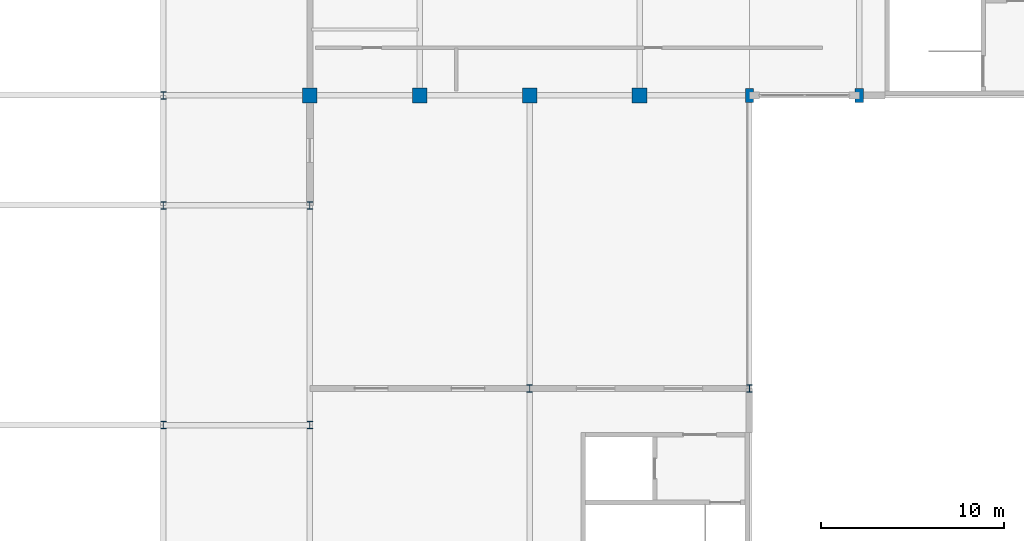
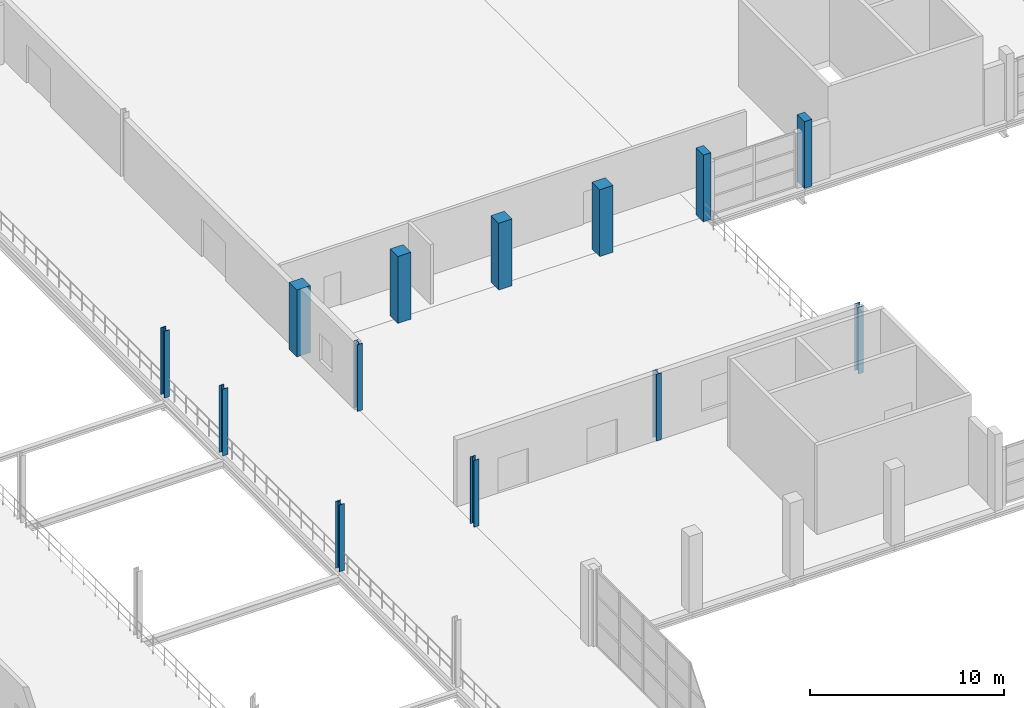
# One storey, part 12 of 147: 13 columns.
"""IFC4 building model written with IfcOpenShell, lengths in metres."""

from ifc_helpers import new_model, si_unit, direction, frame, origin, origin_2d, place, context, subcontext, project, spatial, rectangle, i_section, extrude, material, material_profile, profile_set, type_object, element, save


model = new_model("IFC4")

# Units and contexts
model_context = context("Model", 3, precision=1e-05, world=origin(), true_north=direction((0.0, 1.0)))
body_context = subcontext(model_context, "Body", "Model", "MODEL_VIEW")
ifc_project = project(units=[si_unit("LENGTHUNIT", "METRE"), si_unit("AREAUNIT", "SQUARE_METRE"), si_unit("VOLUMEUNIT", "CUBIC_METRE"), si_unit("PLANEANGLEUNIT", "RADIAN"), si_unit("MASSUNIT", "GRAM", prefix="KILO")], contexts=[model_context])

# Site, building, storey
site_placement = place(None, origin())
site = spatial("IfcSite", under=ifc_project, at=site_placement, CompositionType="ELEMENT")
building_placement = place(site_placement, origin())
building = spatial("IfcBuilding", under=site, at=building_placement, Name="Zilviju Railside Exhibition Hall", CompositionType="ELEMENT")
storey_placement = place(building_placement, frame((0.0, 0.0, 8.39990234375)))
storey = spatial("IfcBuildingStorey", under=building, at=storey_placement, Name="L03", CompositionType="ELEMENT", Elevation=8.39990234375)

# Columns
ifc_material_1 = material(Name="Concrete C40/50", Category="concrete")
ifc_material_profile_1 = material_profile(ifc_material_1, rectangle(XDim=0.800048828125, YDim=0.800048828125, at=origin_2d()), Name="RC COL 800x800")
ifc_profile_set_1 = profile_set([ifc_material_profile_1], Name="Concrete C40/50")
column_type_1 = type_object("IfcColumnType", Name="COL-RC-800", PredefinedType="COLUMN", material=ifc_profile_set_1)
for number, where, z_axis, x_axis, name in (
    (1, (78.0, 84.0, 0.0), (0.0, 0.0, 1.0), (1.0, 0.0, 0.0), "Structural Column L03 (78.0, 84.0)"),
    (2, (84.0, 84.0, 0.0), (0.0, 0.0, 1.0), (1.0, 0.0, 0.0), "Structural Column L03 (84.0, 84.0)"),
    (3, (90.0, 84.0, 0.0), (0.0, 0.0, 1.0), (1.0, 0.0, 0.0), "Structural Column L03 (90.0, 84.0)"),
    (4, (96.0, 84.0, 0.0), (0.0, 0.0, 1.0), (1.0, 0.0, 0.0), "Structural Column L03 (96.0, 84.0)"),
):
    element("IfcColumn", number, at=place(storey_placement, frame(where, z_axis=z_axis, x_axis=x_axis)), inside=storey, type_object=column_type_1, Name=name, PredefinedType="COLUMN", context=body_context, shape_type="SweptSolid", body=[
        extrude(rectangle(XDim=0.800048828125, YDim=0.800048828125, at=origin_2d()), origin(), (0.0, 0.0, 1.0), 4.2001953125),
    ])
ifc_material_2 = material(Name="Steel S355J2", Category="steel")
ifc_material_profile_2 = material_profile(ifc_material_2, i_section(OverallWidth=0.300048828125, OverallDepth=0.39990234375, WebThickness=0.013427734375, FlangeThickness=0.02392578125, at=origin_2d()), Name="HEB 400")
ifc_profile_set_2 = profile_set([ifc_material_profile_2], Name="Steel S355J2")
column_type_2 = type_object("IfcColumnType", Name="COL-ST-HEB400", PredefinedType="COLUMN", material=ifc_profile_set_2)
for number, where, z_axis, x_axis, name in (
    (5, (70.0, 66.0, 0.0), (0.0, 0.0, 1.0), (1.0, 0.0, 0.0), "Structural Column L03 (70.0, 66.0)"),
    (6, (78.0, 66.0, 0.0), (0.0, 0.0, 1.0), (1.0, 0.0, 0.0), "Structural Column L03 (78.0, 66.0)"),
    (7, (90.0, 68.0, 0.0), (0.0, 0.0, 1.0), (1.0, 0.0, 0.0), "Structural Column L03 (90.0, 68.0)"),
    (8, (102.0, 68.0, 0.0), (0.0, 0.0, 1.0), (1.0, 0.0, 0.0), "Structural Column L03 (102.0, 68.0)"),
    (9, (70.0, 78.0, 0.0), (0.0, 0.0, 1.0), (1.0, 0.0, 0.0), "Structural Column L03 (70.0, 78.0)"),
    (10, (78.0, 78.0, 0.0), (0.0, 0.0, 1.0), (1.0, 0.0, 0.0), "Structural Column L03 (78.0, 78.0)"),
    (11, (70.0, 84.0, 0.0), (0.0, 0.0, 1.0), (1.0, 0.0, 0.0), "Structural Column L03 (70.0, 84.0)"),
):
    element("IfcColumn", number, at=place(storey_placement, frame(where, z_axis=z_axis, x_axis=x_axis)), inside=storey, type_object=column_type_2, Name=name, PredefinedType="COLUMN", context=body_context, shape_type="SweptSolid", body=[
        extrude(i_section(OverallWidth=0.300048828125, OverallDepth=0.39990234375, WebThickness=0.013427734375, FlangeThickness=0.02392578125, at=origin_2d()), origin(), (0.0, 0.0, 1.0), 4.2001953125),
    ])
ifc_material_profile_3 = material_profile(ifc_material_1, rectangle(XDim=0.449951171875, YDim=0.75, at=origin_2d()), Name="RC COL 450x750")
ifc_profile_set_3 = profile_set([ifc_material_profile_3], Name="Concrete C40/50")
column_type_3 = type_object("IfcColumnType", Name="PIL-RC-750x450", PredefinedType="PILASTER", material=ifc_profile_set_3)
for number, where, z_axis, x_axis, name in (
    (12, (102.0, 84.0, 0.0), (0.0, 0.0, 1.0), (1.0, 0.0, 0.0), "Structural Column L03 (102.0, 84.0)"),
    (13, (108.0, 84.0, 0.0), (0.0, 0.0, 1.0), (1.0, 0.0, 0.0), "Structural Column L03 (108.0, 84.0)"),
):
    element("IfcColumn", number, at=place(storey_placement, frame(where, z_axis=z_axis, x_axis=x_axis)), inside=storey, type_object=column_type_3, Name=name, PredefinedType="PILASTER", context=body_context, shape_type="SweptSolid", body=[
        extrude(rectangle(XDim=0.449951171875, YDim=0.75, at=origin_2d()), origin(), (0.0, 0.0, 1.0), 4.2001953125),
    ])

save(model, "model.ifc")
